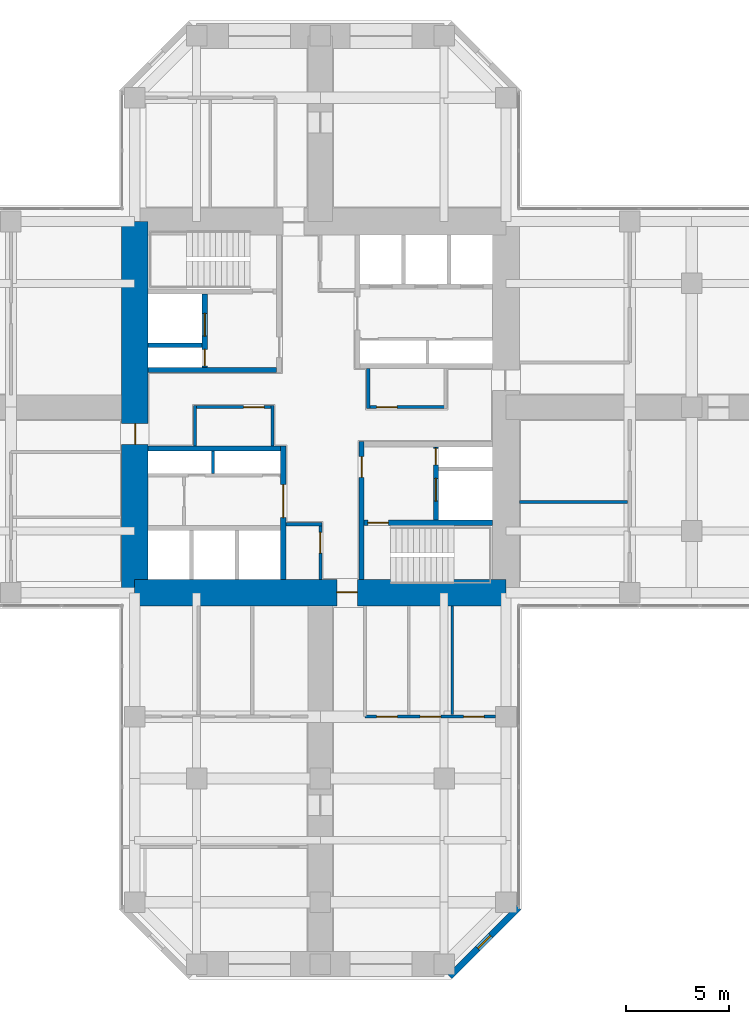
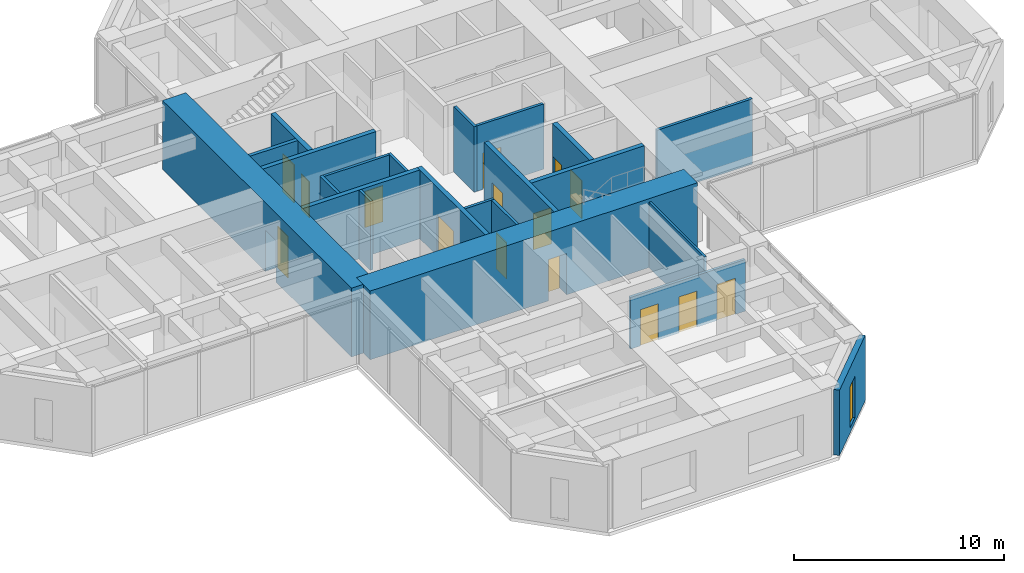
# One storey, part 9 of 12: 22 walls, 15 doors, 1 window, 16 openings.
"""IFC4 building model written with IfcOpenShell, lengths in metres."""

from ifc_helpers import new_model, si_unit, direction, frame, frame_2d, origin, place, context, subcontext, project, spatial, rectangle, hollow_rectangle, extrude, material, layer, layer_set, constituent, constituent_set, type_object, element, fill, save


model = new_model("IFC4")

# Units and contexts
model_context = context("Model", 3, precision=1e-05, world=origin(), true_north=direction((0.0, 1.0)))
body_context = subcontext(model_context, "Body", "Model", "MODEL_VIEW")
ifc_project = project(units=[si_unit("LENGTHUNIT", "METRE"), si_unit("AREAUNIT", "SQUARE_METRE"), si_unit("VOLUMEUNIT", "CUBIC_METRE"), si_unit("PLANEANGLEUNIT", "RADIAN"), si_unit("MASSUNIT", "GRAM", prefix="KILO")], contexts=[model_context])

# Site, building, storey
site_placement = place(None, origin())
site = spatial("IfcSite", under=ifc_project, at=site_placement, CompositionType="ELEMENT")
building_placement = place(site_placement, origin())
building = spatial("IfcBuilding", under=site, at=building_placement, Name="Torre Cruceta", CompositionType="ELEMENT")
storey_placement = place(building_placement, frame((0.0, 0.0, 140.5)))
storey = spatial("IfcBuildingStorey", under=building, at=storey_placement, Name="L34", CompositionType="ELEMENT", Elevation=140.5)

# Wall
ifc_material_1 = material(Name="Concrete G60 (fck 60 MPa)", Category="concrete")
ifc_layer_1 = layer(ifc_material_1, 0.25)
ifc_layer_set_1 = layer_set([ifc_layer_1], Name="Concrete G60 (fck 60 MPa)")
wall_type_1 = type_object("IfcWallType", Name="CORE INNER WALL 250 G60", PredefinedType="SHEAR", material=ifc_layer_set_1)
wall_1_placement = place(storey_placement, frame((-2.125, 1.800048828125, 0.0), z_axis=(0.0, 0.0, 1.0), x_axis=(-1.0, 0.0, 0.0)))
element("IfcWall", 1, at=wall_1_placement, inside=storey, type_object=wall_type_1, Name="CW4 L34 NW-CV", PredefinedType="SHEAR", context=body_context, shape_type="SweptSolid", body=[
    extrude(rectangle(XDim=6.22509765625, YDim=0.25, at=frame_2d((3.112548828125, 0.0))), origin(), (0.0, 0.0, 1.0), 4.0),
])

# Wall, openings, doors
wall_2_placement = place(storey_placement, frame((-5.60009765625, 1.925048828125, 0.0), z_axis=(0.0, 0.0, 1.0), x_axis=(0.0, 1.0, 0.0)))
wall_2 = element("IfcWall", 2, at=wall_2_placement, inside=storey, type_object=wall_type_1, Name="CW4 L34 NW-FU", PredefinedType="SHEAR", context=body_context, shape_type="SweptSolid", body=[
    extrude(rectangle(XDim=3.550048828125, YDim=0.25, at=frame_2d((1.77490234375, 0.0))), origin(), (0.0, 0.0, 1.0), 4.0),
])
opening_1_placement = place(wall_2_placement, frame((1.52490234375, 0.0, 0.0)))
opening_1 = element("IfcOpeningElement", 3, at=opening_1_placement, cuts=wall_2, Name="Opening LD1", PredefinedType="OPENING", context=body_context, shape_type="SweptSolid", body=[
    extrude(rectangle(XDim=1.10009765625, YDim=2.199951171875, at=frame_2d((0.550048828125, 1.10009765625))), frame((0.0, 0.135009765625, 0.0), z_axis=(0.0, -1.0, 0.0), x_axis=(1.0, 0.0, 0.0)), (0.0, 0.0, 1.0), 0.27001953125),
])
opening_2_placement = place(wall_2_placement, frame((0.074951171875, 0.0, 0.0)))
opening_2 = element("IfcOpeningElement", 4, at=opening_2_placement, cuts=wall_2, Name="Opening D5", PredefinedType="OPENING", context=body_context, shape_type="SweptSolid", body=[
    extrude(rectangle(XDim=0.800048828125, YDim=2.10009765625, at=frame_2d((0.39990234375, 1.050048828125))), frame((0.0, 0.135009765625, 0.0), z_axis=(0.0, -1.0, 0.0), x_axis=(1.0, 0.0, 0.0)), (0.0, 0.0, 1.0), 0.27001953125),
])
ifc_material_2 = material(Name="Stainless steel 1.4401", Category="steel")
door_type_1 = type_object("IfcDoorType", Name="LIFT LANDING DOOR 1100X2200", OperationType="DOUBLE_DOOR_SLIDING", PredefinedType="DOOR", material=ifc_material_2)
door_1_placement = place(opening_1_placement, origin())
door_1 = element("IfcDoor", 5, at=door_1_placement, inside=storey, type_object=door_type_1, Name="Lift landing door FL1", OperationType="DOUBLE_DOOR_SLIDING", OverallHeight=2.199951171875, OverallWidth=1.10009765625, PredefinedType="DOOR", context=body_context, shape_type="SweptSolid", body=[
    extrude(rectangle(XDim=1.10009765625, YDim=2.199951171875, at=frame_2d((0.550048828125, 1.10009765625))), frame((0.0, 0.02490234375, 0.0), z_axis=(0.0, -1.0, 0.0), x_axis=(1.0, 0.0, 0.0)), (0.0, 0.0, 1.0), 0.050048828125),
])
fill(opening_1, door_1)
ifc_material_3 = material(Name="Steel DX51D", Category="steel")
ifc_constituent_1 = constituent(ifc_material_3, Name="Leaf and frame")
ifc_material_4 = material(Name="Polyester powder coating", Category="paint")
ifc_constituent_2 = constituent(ifc_material_4, Name="Finish")
ifc_constituent_set_1 = constituent_set(constituents=[ifc_constituent_1, ifc_constituent_2], Name="Steel fire door")
door_type_2 = type_object("IfcDoorType", Name="RISER ACCESS DOOR 800X2100", OperationType="SINGLE_SWING_LEFT", PredefinedType="DOOR", material=ifc_constituent_set_1)
door_2_placement = place(opening_2_placement, origin())
door_2 = element("IfcDoor", 6, at=door_2_placement, inside=storey, type_object=door_type_2, Name="D5 L34 NW-RISER", OperationType="SINGLE_SWING_LEFT", OverallHeight=2.10009765625, OverallWidth=0.800048828125, PredefinedType="DOOR", context=body_context, shape_type="SweptSolid", body=[
    extrude(rectangle(XDim=0.800048828125, YDim=2.10009765625, at=frame_2d((0.39990234375, 1.050048828125))), frame((0.0, 0.02490234375, 0.0), z_axis=(0.0, -1.0, 0.0), x_axis=(1.0, 0.0, 0.0)), (0.0, 0.0, 1.0), 0.050048828125),
])
fill(opening_2, door_2)

# Wall, opening, door
wall_3_placement = place(storey_placement, frame((-1.800048828125, -1.875, 0.0), z_axis=(0.0, 0.0, 1.0), x_axis=(0.0, -1.0, 0.0)))
wall_3 = element("IfcWall", 7, at=wall_3_placement, inside=storey, type_object=wall_type_1, Name="CW4 L34 SW-CU", PredefinedType="SHEAR", context=body_context, shape_type="SweptSolid", body=[
    extrude(rectangle(XDim=6.47509765625, YDim=0.25, at=frame_2d((3.237548828125, 0.0))), origin(), (0.0, 0.0, 1.0), 4.0),
])
opening_3_placement = place(wall_3_placement, frame((1.875, 0.0, 0.0)))
opening_3 = element("IfcOpeningElement", 8, at=opening_3_placement, cuts=wall_3, Name="Opening D15", PredefinedType="OPENING", context=body_context, shape_type="SweptSolid", body=[
    extrude(rectangle(XDim=1.60009765625, YDim=2.39990234375, at=frame_2d((0.800048828125, 1.199951171875))), frame((0.0, 0.135009765625, 0.0), z_axis=(0.0, -1.0, 0.0), x_axis=(1.0, 0.0, 0.0)), (0.0, 0.0, 1.0), 0.27001953125),
])
ifc_material_5 = material(Name="Steel DX51D", Category="steel")
ifc_constituent_3 = constituent(ifc_material_5, Name="Leaf and frame")
ifc_material_6 = material(Name="Polyester powder coating", Category="paint")
ifc_constituent_4 = constituent(ifc_material_6, Name="Finish")
ifc_constituent_set_2 = constituent_set(constituents=[ifc_constituent_3, ifc_constituent_4], Name="Steel fire door")
door_type_3 = type_object("IfcDoorType", Name="CORE ROOM DOUBLE DOOR 1600X2400", OperationType="DOUBLE_DOOR_SINGLE_SWING", PredefinedType="DOOR", material=ifc_constituent_set_2)
door_3_placement = place(opening_3_placement, frame((1.60009765625, 0.0, 0.0), z_axis=(0.0, 0.0, 1.0), x_axis=(-1.0, 0.0, 0.0)))
door_3 = element("IfcDoor", 9, at=door_3_placement, inside=storey, type_object=door_type_3, Name="D15 L34 SW-LOBBY", OperationType="DOUBLE_DOOR_SINGLE_SWING", OverallHeight=2.39990234375, OverallWidth=1.60009765625, PredefinedType="DOOR", context=body_context, shape_type="SweptSolid", body=[
    extrude(rectangle(XDim=1.60009765625, YDim=2.39990234375, at=frame_2d((0.800048828125, 1.199951171875))), frame((0.0, 0.025146484375, 0.0), z_axis=(0.0, -1.0, 0.0), x_axis=(1.0, 0.0, 0.0)), (0.0, 0.0, 1.0), 0.050048828125),
])
fill(opening_3, door_3)

# Wall
wall_4_placement = place(storey_placement, frame((-1.925048828125, -2.0, 0.0), z_axis=(0.0, 0.0, 1.0), x_axis=(-1.0, 0.0, 0.0)))
element("IfcWall", 10, at=wall_4_placement, inside=storey, type_object=wall_type_1, Name="CW4 L34 SW-CV", PredefinedType="SHEAR", context=body_context, shape_type="SweptSolid", body=[
    extrude(rectangle(XDim=6.425048828125, YDim=0.25, at=frame_2d((3.21240234375, 0.0))), origin(), (0.0, 0.0, 1.0), 4.0),
])

# Wall, opening, door
wall_5_placement = place(storey_placement, frame((2.0, -1.675048828125, 0.0), z_axis=(0.0, 0.0, 1.0), x_axis=(0.0, -1.0, 0.0)))
wall_5 = element("IfcWall", 11, at=wall_5_placement, inside=storey, type_object=wall_type_1, Name="CW4 L34 SE-CU", PredefinedType="SHEAR", context=body_context, shape_type="SweptSolid", body=[
    extrude(rectangle(XDim=6.675048828125, YDim=0.25, at=frame_2d((3.33740234375, 0.0))), origin(), (0.0, 0.0, 1.0), 4.0),
])
opening_4_placement = place(wall_5_placement, frame((0.72509765625, 0.0, 0.0)))
opening_4 = element("IfcOpeningElement", 12, at=opening_4_placement, cuts=wall_5, Name="Opening D3", PredefinedType="OPENING", context=body_context, shape_type="SweptSolid", body=[
    extrude(rectangle(XDim=1.0, YDim=2.10009765625, at=frame_2d((0.5, 1.050048828125))), frame((0.0, 0.135009765625, 0.0), z_axis=(0.0, -1.0, 0.0), x_axis=(1.0, 0.0, 0.0)), (0.0, 0.0, 1.0), 0.27001953125),
])
ifc_material_7 = material(Name="Steel DX51D", Category="steel")
ifc_constituent_5 = constituent(ifc_material_7, Name="Leaf and frame")
ifc_material_8 = material(Name="Polyester powder coating", Category="paint")
ifc_constituent_6 = constituent(ifc_material_8, Name="Finish")
ifc_constituent_set_3 = constituent_set(constituents=[ifc_constituent_5, ifc_constituent_6], Name="Steel fire door")
door_type_4 = type_object("IfcDoorType", Name="FIRE DOOR 1000X2100", OperationType="SINGLE_SWING_LEFT", PredefinedType="DOOR", material=ifc_constituent_set_3)
door_4_placement = place(opening_4_placement, origin())
door_4 = element("IfcDoor", 13, at=door_4_placement, inside=storey, type_object=door_type_4, Name="D3 L34 SE-LOBBY", OperationType="SINGLE_SWING_LEFT", OverallHeight=2.10009765625, OverallWidth=1.0, PredefinedType="DOOR", context=body_context, shape_type="SweptSolid", body=[
    extrude(rectangle(XDim=1.0, YDim=2.10009765625, at=frame_2d((0.5, 1.050048828125))), frame((0.0, 0.02490234375, 0.0), z_axis=(0.0, -1.0, 0.0), x_axis=(1.0, 0.0, 0.0)), (0.0, 0.0, 1.0), 0.050048828125),
])
fill(opening_4, door_4)

wall_6_placement = place(storey_placement, frame((2.125, -5.60009765625, 0.0), z_axis=(0.0, 0.0, 1.0), x_axis=(1.0, 0.0, 0.0)))
wall_6 = element("IfcWall", 14, at=wall_6_placement, inside=storey, type_object=wall_type_1, Name="CW4 L34 SE-SV", PredefinedType="SHEAR", context=body_context, shape_type="SweptSolid", body=[
    extrude(rectangle(XDim=6.22509765625, YDim=0.25, at=frame_2d((3.112548828125, 0.0))), origin(), (0.0, 0.0, 1.0), 4.0),
])
opening_5_placement = place(wall_6_placement, frame((0.175048828125, 0.0, 0.0)))
opening_5 = element("IfcOpeningElement", 15, at=opening_5_placement, cuts=wall_6, Name="Opening D3", PredefinedType="OPENING", context=body_context, shape_type="SweptSolid", body=[
    extrude(rectangle(XDim=1.0, YDim=2.10009765625, at=frame_2d((0.5, 1.050048828125))), frame((0.0, 0.135009765625, 0.0), z_axis=(0.0, -1.0, 0.0), x_axis=(1.0, 0.0, 0.0)), (0.0, 0.0, 1.0), 0.27001953125),
])
door_5_placement = place(opening_5_placement, frame((1.0, 0.0, 0.0), z_axis=(0.0, 0.0, 1.0), x_axis=(-1.0, 0.0, 0.0)))
door_5 = element("IfcDoor", 16, at=door_5_placement, inside=storey, type_object=door_type_4, Name="D3 L34 SE-STAIR", OperationType="SINGLE_SWING_RIGHT", OverallHeight=2.10009765625, OverallWidth=1.0, PredefinedType="DOOR", context=body_context, shape_type="SweptSolid", body=[
    extrude(rectangle(XDim=1.0, YDim=2.10009765625, at=frame_2d((0.5, 1.050048828125))), frame((0.0, 0.025146484375, 0.0), z_axis=(0.0, -1.0, 0.0), x_axis=(1.0, 0.0, 0.0)), (0.0, 0.0, 1.0), 0.050048828125),
])
fill(opening_5, door_5)

# Wall, openings, doors
wall_7_placement = place(storey_placement, frame((5.60009765625, -1.925048828125, 0.0), z_axis=(0.0, 0.0, 1.0), x_axis=(0.0, -1.0, 0.0)))
wall_7 = element("IfcWall", 17, at=wall_7_placement, inside=storey, type_object=wall_type_1, Name="CW4 L34 SE-FU", PredefinedType="SHEAR", context=body_context, shape_type="SweptSolid", body=[
    extrude(rectangle(XDim=3.550048828125, YDim=0.25, at=frame_2d((1.77490234375, 0.0))), origin(), (0.0, 0.0, 1.0), 4.0),
])
opening_6_placement = place(wall_7_placement, frame((1.52490234375, 0.0, 0.0)))
opening_6 = element("IfcOpeningElement", 18, at=opening_6_placement, cuts=wall_7, Name="Opening LD1", PredefinedType="OPENING", context=body_context, shape_type="SweptSolid", body=[
    extrude(rectangle(XDim=1.10009765625, YDim=2.199951171875, at=frame_2d((0.550048828125, 1.10009765625))), frame((0.0, 0.135009765625, 0.0), z_axis=(0.0, -1.0, 0.0), x_axis=(1.0, 0.0, 0.0)), (0.0, 0.0, 1.0), 0.27001953125),
])
opening_7_placement = place(wall_7_placement, frame((0.074951171875, 0.0, 0.0)))
opening_7 = element("IfcOpeningElement", 19, at=opening_7_placement, cuts=wall_7, Name="Opening D5", PredefinedType="OPENING", context=body_context, shape_type="SweptSolid", body=[
    extrude(rectangle(XDim=0.800048828125, YDim=2.10009765625, at=frame_2d((0.39990234375, 1.050048828125))), frame((0.0, 0.135009765625, 0.0), z_axis=(0.0, -1.0, 0.0), x_axis=(1.0, 0.0, 0.0)), (0.0, 0.0, 1.0), 0.27001953125),
])
door_6_placement = place(opening_6_placement, origin())
door_6 = element("IfcDoor", 20, at=door_6_placement, inside=storey, type_object=door_type_1, Name="Lift landing door FL2", OperationType="DOUBLE_DOOR_SLIDING", OverallHeight=2.199951171875, OverallWidth=1.10009765625, PredefinedType="DOOR", context=body_context, shape_type="SweptSolid", body=[
    extrude(rectangle(XDim=1.10009765625, YDim=2.199951171875, at=frame_2d((0.550048828125, 1.10009765625))), frame((0.0, 0.02490234375, 0.0), z_axis=(0.0, -1.0, 0.0), x_axis=(1.0, 0.0, 0.0)), (0.0, 0.0, 1.0), 0.050048828125),
])
fill(opening_6, door_6)
door_7_placement = place(opening_7_placement, origin())
door_7 = element("IfcDoor", 21, at=door_7_placement, inside=storey, type_object=door_type_2, Name="D5 L34 SE-RISER", OperationType="SINGLE_SWING_LEFT", OverallHeight=2.10009765625, OverallWidth=0.800048828125, PredefinedType="DOOR", context=body_context, shape_type="SweptSolid", body=[
    extrude(rectangle(XDim=0.800048828125, YDim=2.10009765625, at=frame_2d((0.39990234375, 1.050048828125))), frame((0.0, 0.02490234375, 0.0), z_axis=(0.0, -1.0, 0.0), x_axis=(1.0, 0.0, 0.0)), (0.0, 0.0, 1.0), 0.050048828125),
])
fill(opening_7, door_7)

# Wall, opening, door
ifc_material_9 = material(Name="Concrete G60 (fck 60 MPa)", Category="concrete")
ifc_layer_2 = layer(ifc_material_9, 1.300048828125)
ifc_layer_set_2 = layer_set([ifc_layer_2], Name="Concrete G60 (fck 60 MPa)")
wall_type_2 = type_object("IfcWallType", Name="CORE WALL 1300 G60", PredefinedType="SHEAR", material=ifc_layer_set_2)
wall_8_placement = place(storey_placement, frame((-9.0, -9.0, 0.0), z_axis=(0.0, 0.0, 1.0), x_axis=(1.0, 0.0, 0.0)))
wall_8 = element("IfcWall", 22, at=wall_8_placement, inside=storey, type_object=wall_type_2, Name="CW1 L34 CW-S", PredefinedType="SHEAR", context=body_context, shape_type="SweptSolid", body=[
    extrude(rectangle(XDim=18.0, YDim=1.300048828125, at=frame_2d((9.0, 0.0))), origin(), (0.0, 0.0, 1.0), 4.0),
])
opening_8_placement = place(wall_8_placement, frame((9.800048828125, 0.0, 0.0)))
opening_8 = element("IfcOpeningElement", 23, at=opening_8_placement, cuts=wall_8, Name="Opening D4", PredefinedType="OPENING", context=body_context, shape_type="SweptSolid", body=[
    extrude(rectangle(XDim=1.0, YDim=2.39990234375, at=frame_2d((0.5, 1.199951171875))), frame((0.0, 0.659912109375, 0.0), z_axis=(0.0, -1.0, 0.0), x_axis=(1.0, 0.0, 0.0)), (0.0, 0.0, 1.0), 1.320068359375),
])
ifc_material_10 = material(Name="Steel DX51D", Category="steel")
ifc_constituent_7 = constituent(ifc_material_10, Name="Leaf and frame")
ifc_material_11 = material(Name="Polyester powder coating", Category="paint")
ifc_constituent_8 = constituent(ifc_material_11, Name="Finish")
ifc_constituent_set_4 = constituent_set(constituents=[ifc_constituent_7, ifc_constituent_8], Name="Steel fire door")
door_type_5 = type_object("IfcDoorType", Name="CORE ARM DOOR 1000X2400", OperationType="SINGLE_SWING_RIGHT", PredefinedType="DOOR", material=ifc_constituent_set_4)
door_8_placement = place(opening_8_placement, frame((1.0, 0.0, 0.0), z_axis=(0.0, 0.0, 1.0), x_axis=(-1.0, 0.0, 0.0)))
door_8 = element("IfcDoor", 24, at=door_8_placement, inside=storey, type_object=door_type_5, Name="D4 L34 CW-S", OperationType="SINGLE_SWING_RIGHT", OverallHeight=2.39990234375, OverallWidth=1.0, PredefinedType="DOOR", context=body_context, shape_type="SweptSolid", body=[
    extrude(rectangle(XDim=1.0, YDim=2.39990234375, at=frame_2d((0.5, 1.199951171875))), frame((0.0, -0.005126953125, 0.0), z_axis=(0.0, -1.0, 0.0), x_axis=(1.0, 0.0, 0.0)), (0.0, 0.0, 1.0), 0.050048828125),
])
fill(opening_8, door_8)

wall_9_placement = place(storey_placement, frame((-9.0, 9.0, 0.0), z_axis=(0.0, 0.0, 1.0), x_axis=(0.0, -1.0, 0.0)))
wall_9 = element("IfcWall", 25, at=wall_9_placement, inside=storey, type_object=wall_type_2, Name="CW1 L34 CW-W", PredefinedType="SHEAR", context=body_context, shape_type="SweptSolid", body=[
    extrude(rectangle(XDim=18.0, YDim=1.300048828125, at=frame_2d((9.0, 0.0))), origin(), (0.0, 0.0, 1.0), 4.0),
])
opening_9_placement = place(wall_9_placement, frame((9.800048828125, 0.0, 0.0)))
opening_9 = element("IfcOpeningElement", 26, at=opening_9_placement, cuts=wall_9, Name="Opening D4", PredefinedType="OPENING", context=body_context, shape_type="SweptSolid", body=[
    extrude(rectangle(XDim=1.0, YDim=2.39990234375, at=frame_2d((0.5, 1.199951171875))), frame((0.0, 0.659912109375, 0.0), z_axis=(0.0, -1.0, 0.0), x_axis=(1.0, 0.0, 0.0)), (0.0, 0.0, 1.0), 1.320068359375),
])
door_9_placement = place(opening_9_placement, frame((1.0, 0.0, 0.0), z_axis=(0.0, 0.0, 1.0), x_axis=(-1.0, 0.0, 0.0)))
door_9 = element("IfcDoor", 27, at=door_9_placement, inside=storey, type_object=door_type_5, Name="D4 L34 CW-W", OperationType="SINGLE_SWING_RIGHT", OverallHeight=2.39990234375, OverallWidth=1.0, PredefinedType="DOOR", context=body_context, shape_type="SweptSolid", body=[
    extrude(rectangle(XDim=1.0, YDim=2.39990234375, at=frame_2d((0.5, 1.199951171875))), frame((0.0, -0.005126953125, 0.0), z_axis=(0.0, -1.0, 0.0), x_axis=(1.0, 0.0, 0.0)), (0.0, 0.0, 1.0), 0.050048828125),
])
fill(opening_9, door_9)

# Wall, opening, window
ifc_material_12 = material(Name="Concrete G30 (fck 30 MPa)", Category="concrete")
ifc_layer_3 = layer(ifc_material_12, 0.300048828125)
ifc_layer_set_3 = layer_set([ifc_layer_3], Name="Concrete G30 (fck 30 MPa)")
wall_type_3 = type_object("IfcWallType", Name="EXPOSED CONCRETE FACADE WALL 300", PredefinedType="SOLIDWALL", material=ifc_layer_set_3)
wall_10_placement = place(storey_placement, frame((6.27685546875, -27.60009765625, 0.0), z_axis=(0.0, 0.0, 1.0), x_axis=(0.707106781187, 0.707106781187, 0.0)))
wall_10 = element("IfcWall", 28, at=wall_10_placement, inside=storey, type_object=wall_type_3, Name="EW1 facade wall L34 S chamfer 18", PredefinedType="SOLIDWALL", context=body_context, shape_type="SweptSolid", body=[
    extrude(rectangle(XDim=4.72802734375, YDim=0.300048828125, at=frame_2d((2.364013671875, 0.0))), origin(), (0.0, 0.0, 1.0), 3.800048828125),
])
opening_10_placement = place(wall_10_placement, frame((1.9140625, 0.0, 0.300048828125)))
opening_10 = element("IfcOpeningElement", 29, at=opening_10_placement, cuts=wall_10, Name="Opening WN5", PredefinedType="OPENING", context=body_context, shape_type="SweptSolid", body=[
    extrude(rectangle(XDim=0.89990234375, YDim=2.39990234375, at=frame_2d((0.449951171875, 1.199951171875))), frame((0.0, 0.159912109375, 0.0), z_axis=(0.0, -1.0, 0.0), x_axis=(1.0, 0.0, 0.0)), (0.0, 0.0, 1.0), 0.320068359375),
])
ifc_material_13 = material(Name="Aluminium window frame", Category="aluminium")
ifc_constituent_9 = constituent(ifc_material_13, Name="Frame")
ifc_material_14 = material(Name="Laminated insulating glass unit, low-iron clear", Category="glass")
ifc_constituent_10 = constituent(ifc_material_14, Name="Glazing")
ifc_constituent_set_5 = constituent_set(constituents=[ifc_constituent_9, ifc_constituent_10], Name="Aluminium window")
window_type = type_object("IfcWindowType", Name="CHAMFER SLOT WINDOW 900X2400", PartitioningType="SINGLE_PANEL", PredefinedType="WINDOW", material=ifc_constituent_set_5)
window_placement = place(opening_10_placement, origin())
window = element("IfcWindow", 30, at=window_placement, inside=storey, type_object=window_type, Name="WN5 L34 S 1", OverallHeight=2.39990234375, OverallWidth=0.89990234375, PartitioningType="SINGLE_PANEL", PredefinedType="WINDOW", context=body_context, shape_type="SweptSolid", body=[
    extrude(hollow_rectangle(XDim=0.89990234375, YDim=2.39990234375, WallThickness=0.06005859375, at=frame_2d((0.449951171875, 1.199951171875))), frame((0.0, 0.030029296875, 0.0), z_axis=(0.0, -1.0, 0.0), x_axis=(1.0, 0.0, 0.0)), (0.0, 0.0, 1.0), 0.06005859375),
    extrude(rectangle(XDim=0.77880859375, YDim=2.27880859375, at=frame_2d((0.449951171875, 1.199951171875))), frame((0.0, 0.030029296875, 0.0), z_axis=(0.0, -1.0, 0.0), x_axis=(1.0, 0.0, 0.0)), (0.0, 0.0, 1.0), 0.06005859375),
])
fill(opening_10, window)

# Wall
ifc_material_15 = material(Name="Concrete G35 (fck 35 MPa)", Category="concrete")
ifc_layer_4 = layer(ifc_material_15, 0.199951171875)
ifc_layer_set_4 = layer_set([ifc_layer_4], Name="Concrete G35 (fck 35 MPa)")
wall_type_4 = type_object("IfcWallType", Name="LIFT SHAFT WALL 200", PredefinedType="PARTITIONING", material=ifc_layer_set_4)
wall_11_placement = place(storey_placement, frame((-5.72509765625, 3.0, 0.0), z_axis=(0.0, 0.0, 1.0), x_axis=(-1.0, 0.0, 0.0)))
element("IfcWall", 31, at=wall_11_placement, inside=storey, type_object=wall_type_4, Name="SW1 L34 NW-FR", PredefinedType="PARTITIONING", context=body_context, shape_type="SweptSolid", body=[
    extrude(rectangle(XDim=2.625, YDim=0.199951171875, at=frame_2d((1.3125, 0.0))), origin(), (0.0, 0.0, 1.0), 4.0),
])

# Wall, opening, door
ifc_material_16 = material(Name="Plasterboard on steel studs", Category="steel")
ifc_layer_5 = layer(ifc_material_16, 0.14990234375)
ifc_layer_set_5 = layer_set([ifc_layer_5], Name="Plasterboard on steel studs")
wall_type_5 = type_object("IfcWallType", Name="PARTITION 150", PredefinedType="PARTITIONING", material=ifc_layer_set_5)
wall_12_placement = place(storey_placement, frame((2.324951171875, 0.0, 0.0), z_axis=(0.0, 0.0, 1.0), x_axis=(1.0, 0.0, 0.0)))
wall_12 = element("IfcWall", 32, at=wall_12_placement, inside=storey, type_object=wall_type_5, Name="PT1 L34-CORE-LEGE-N-W1", PredefinedType="PARTITIONING", context=body_context, shape_type="SweptSolid", body=[
    extrude(rectangle(XDim=3.75, YDim=0.14990234375, at=frame_2d((1.875, 0.0))), origin(), (0.0, 0.0, 1.0), 3.800048828125),
])
opening_11_placement = place(wall_12_placement, frame((0.39990234375, 0.0, 0.0)))
opening_11 = element("IfcOpeningElement", 33, at=opening_11_placement, cuts=wall_12, Name="Opening D3", PredefinedType="OPENING", context=body_context, shape_type="SweptSolid", body=[
    extrude(rectangle(XDim=1.0, YDim=2.10009765625, at=frame_2d((0.5, 1.050048828125))), frame((0.0, 0.0849609375, 0.0), z_axis=(0.0, -1.0, 0.0), x_axis=(1.0, 0.0, 0.0)), (0.0, 0.0, 1.0), 0.169921875),
])
door_10_placement = place(opening_11_placement, origin())
door_10 = element("IfcDoor", 34, at=door_10_placement, inside=storey, type_object=door_type_4, Name="D3 L34-CORE-LEGE-N-W1-D1", OperationType="SINGLE_SWING_LEFT", OverallHeight=2.10009765625, OverallWidth=1.0, PredefinedType="DOOR", context=body_context, shape_type="SweptSolid", body=[
    extrude(rectangle(XDim=1.0, YDim=2.10009765625, at=frame_2d((0.5, 1.050048828125))), frame((0.0, 0.02490234375, 0.0), z_axis=(0.0, -1.0, 0.0), x_axis=(1.0, 0.0, 0.0)), (0.0, 0.0, 1.0), 0.050048828125),
])
fill(opening_11, door_10)

# Wall
wall_13_placement = place(storey_placement, frame((2.324951171875, 1.875, 0.0), z_axis=(0.0, 0.0, 1.0), x_axis=(0.0, -1.0, 0.0)))
element("IfcWall", 35, at=wall_13_placement, inside=storey, type_object=wall_type_5, Name="PT1 L34-CORE-LEGE-N-W2", PredefinedType="PARTITIONING", context=body_context, shape_type="SweptSolid", body=[
    extrude(rectangle(XDim=1.949951171875, YDim=0.14990234375, at=frame_2d((0.97509765625, 0.0))), origin(), (0.0, 0.0, 1.0), 3.800048828125),
])

# Wall, opening, door
wall_14_placement = place(storey_placement, frame((-2.324951171875, 0.0, 0.0), z_axis=(0.0, 0.0, 1.0), x_axis=(-1.0, 0.0, 0.0)))
wall_14 = element("IfcWall", 36, at=wall_14_placement, inside=storey, type_object=wall_type_5, Name="PT1 L34-CORE-LEGW-S-W1", PredefinedType="PARTITIONING", context=body_context, shape_type="SweptSolid", body=[
    extrude(rectangle(XDim=3.75, YDim=0.14990234375, at=frame_2d((1.875, 0.0))), origin(), (0.0, 0.0, 1.0), 3.800048828125),
])
opening_12_placement = place(wall_14_placement, frame((0.39990234375, 0.0, 0.0)))
opening_12 = element("IfcOpeningElement", 37, at=opening_12_placement, cuts=wall_14, Name="Opening D3", PredefinedType="OPENING", context=body_context, shape_type="SweptSolid", body=[
    extrude(rectangle(XDim=1.0, YDim=2.10009765625, at=frame_2d((0.5, 1.050048828125))), frame((0.0, 0.0849609375, 0.0), z_axis=(0.0, -1.0, 0.0), x_axis=(1.0, 0.0, 0.0)), (0.0, 0.0, 1.0), 0.169921875),
])
door_11_placement = place(opening_12_placement, origin())
door_11 = element("IfcDoor", 38, at=door_11_placement, inside=storey, type_object=door_type_4, Name="D3 L34-CORE-LEGW-S-W1-D1", OperationType="SINGLE_SWING_LEFT", OverallHeight=2.10009765625, OverallWidth=1.0, PredefinedType="DOOR", context=body_context, shape_type="SweptSolid", body=[
    extrude(rectangle(XDim=1.0, YDim=2.10009765625, at=frame_2d((0.5, 1.050048828125))), frame((0.0, 0.02490234375, 0.0), z_axis=(0.0, -1.0, 0.0), x_axis=(1.0, 0.0, 0.0)), (0.0, 0.0, 1.0), 0.050048828125),
])
fill(opening_12, door_11)

# Walls
for number, where, z_axis, x_axis, name in (
    (39, (-2.324951171875, -1.875, 0.0), (0.0, 0.0, 1.0), (0.0, 1.0, 0.0), "PT1 L34-CORE-LEGW-S-W2"),
    (40, (-6.074951171875, 0.074951171875, 0.0), (0.0, 0.0, 1.0), (0.0, -1.0, 0.0), "PT1 L34-CORE-LEGW-S-W3"),
):
    element("IfcWall", number, at=place(storey_placement, frame(where, z_axis=z_axis, x_axis=x_axis)), inside=storey, type_object=wall_type_5, Name=name, PredefinedType="PARTITIONING", context=body_context, shape_type="SweptSolid", body=[
        extrude(rectangle(XDim=1.949951171875, YDim=0.14990234375, at=frame_2d((0.97509765625, 0.0))), origin(), (0.0, 0.0, 1.0), 3.800048828125),
    ])

# Wall, opening, door
wall_15_placement = place(storey_placement, frame((0.0, -5.675048828125, 0.0), z_axis=(0.0, 0.0, 1.0), x_axis=(0.0, -1.0, 0.0)))
wall_15 = element("IfcWall", 41, at=wall_15_placement, inside=storey, type_object=wall_type_5, Name="PT1 L34-CORE-LEGS-W-W1", PredefinedType="PARTITIONING", context=body_context, shape_type="SweptSolid", body=[
    extrude(rectangle(XDim=2.675048828125, YDim=0.14990234375, at=frame_2d((1.33740234375, 0.0))), origin(), (0.0, 0.0, 1.0), 3.800048828125),
])
opening_13_placement = place(wall_15_placement, frame((0.39990234375, 0.0, 0.0)))
opening_13 = element("IfcOpeningElement", 42, at=opening_13_placement, cuts=wall_15, Name="Opening D3", PredefinedType="OPENING", context=body_context, shape_type="SweptSolid", body=[
    extrude(rectangle(XDim=1.0, YDim=2.10009765625, at=frame_2d((0.5, 1.050048828125))), frame((0.0, 0.0849609375, 0.0), z_axis=(0.0, -1.0, 0.0), x_axis=(1.0, 0.0, 0.0)), (0.0, 0.0, 1.0), 0.169921875),
])
door_12_placement = place(opening_13_placement, frame((1.0, 0.0, 0.0), z_axis=(0.0, 0.0, 1.0), x_axis=(-1.0, 0.0, 0.0)))
door_12 = element("IfcDoor", 43, at=door_12_placement, inside=storey, type_object=door_type_4, Name="D3 L34-CORE-LEGS-W-W1-D1", OperationType="SINGLE_SWING_RIGHT", OverallHeight=2.10009765625, OverallWidth=1.0, PredefinedType="DOOR", context=body_context, shape_type="SweptSolid", body=[
    extrude(rectangle(XDim=1.0, YDim=2.10009765625, at=frame_2d((0.5, 1.050048828125))), frame((0.0, 0.025146484375, 0.0), z_axis=(0.0, -1.0, 0.0), x_axis=(1.0, 0.0, 0.0)), (0.0, 0.0, 1.0), 0.050048828125),
])
fill(opening_13, door_12)

# Walls
wall_16_placement = place(storey_placement, frame((-1.675048828125, -5.675048828125, 0.0), z_axis=(0.0, 0.0, 1.0), x_axis=(1.0, 0.0, 0.0)))
element("IfcWall", 44, at=wall_16_placement, inside=storey, type_object=wall_type_5, Name="PT1 L34-CORE-LEGS-W-W2", PredefinedType="PARTITIONING", context=body_context, shape_type="SweptSolid", body=[
    extrude(rectangle(XDim=1.75, YDim=0.14990234375, at=frame_2d((0.875, 0.0))), origin(), (0.0, 0.0, 1.0), 3.800048828125),
])
wall_17_placement = place(storey_placement, frame((9.64990234375, -4.60009765625, 0.0), z_axis=(0.0, 0.0, 1.0), x_axis=(1.0, 0.0, 0.0)))
element("IfcWall", 45, at=wall_17_placement, inside=storey, type_object=wall_type_5, Name="PT1 L34-E-BDR1", PredefinedType="PARTITIONING", context=body_context, shape_type="SweptSolid", body=[
    extrude(rectangle(XDim=5.25, YDim=0.14990234375, at=frame_2d((2.625, 0.0))), origin(), (0.0, 0.0, 1.0), 3.800048828125),
])

# Wall, openings, doors
wall_18_placement = place(storey_placement, frame((2.175048828125, -15.0, 0.0), z_axis=(0.0, 0.0, 1.0), x_axis=(1.0, 0.0, 0.0)))
wall_18 = element("IfcWall", 46, at=wall_18_placement, inside=storey, type_object=wall_type_5, Name="PT1 L34-S-BFL", PredefinedType="PARTITIONING", context=body_context, shape_type="SweptSolid", body=[
    extrude(rectangle(XDim=6.324951171875, YDim=0.14990234375, at=frame_2d((3.16259765625, 0.0))), origin(), (0.0, 0.0, 1.0), 3.0),
])
opening_14_placement = place(wall_18_placement, frame((0.55419921875, 0.0, 0.0)))
opening_14 = element("IfcOpeningElement", 47, at=opening_14_placement, cuts=wall_18, Name="Opening D3", PredefinedType="OPENING", context=body_context, shape_type="SweptSolid", body=[
    extrude(rectangle(XDim=1.0, YDim=2.10009765625, at=frame_2d((0.5, 1.050048828125))), frame((0.0, 0.0849609375, 0.0), z_axis=(0.0, -1.0, 0.0), x_axis=(1.0, 0.0, 0.0)), (0.0, 0.0, 1.0), 0.169921875),
])
opening_15_placement = place(wall_18_placement, frame((2.66259765625, 0.0, 0.0)))
opening_15 = element("IfcOpeningElement", 48, at=opening_15_placement, cuts=wall_18, Name="Opening D3", PredefinedType="OPENING", context=body_context, shape_type="SweptSolid", body=[
    extrude(rectangle(XDim=1.0, YDim=2.10009765625, at=frame_2d((0.5, 1.050048828125))), frame((0.0, 0.0849609375, 0.0), z_axis=(0.0, -1.0, 0.0), x_axis=(1.0, 0.0, 0.0)), (0.0, 0.0, 1.0), 0.169921875),
])
opening_16_placement = place(wall_18_placement, frame((4.770751953125, 0.0, 0.0)))
opening_16 = element("IfcOpeningElement", 49, at=opening_16_placement, cuts=wall_18, Name="Opening D3", PredefinedType="OPENING", context=body_context, shape_type="SweptSolid", body=[
    extrude(rectangle(XDim=1.0, YDim=2.10009765625, at=frame_2d((0.5, 1.050048828125))), frame((0.0, 0.0849609375, 0.0), z_axis=(0.0, -1.0, 0.0), x_axis=(1.0, 0.0, 0.0)), (0.0, 0.0, 1.0), 0.169921875),
])
door_13_placement = place(opening_14_placement, origin())
door_13 = element("IfcDoor", 50, at=door_13_placement, inside=storey, type_object=door_type_4, Name="D3 L34-S-BFL-D1", OperationType="SINGLE_SWING_LEFT", OverallHeight=2.10009765625, OverallWidth=1.0, PredefinedType="DOOR", context=body_context, shape_type="SweptSolid", body=[
    extrude(rectangle(XDim=1.0, YDim=2.10009765625, at=frame_2d((0.5, 1.050048828125))), frame((0.0, 0.02490234375, 0.0), z_axis=(0.0, -1.0, 0.0), x_axis=(1.0, 0.0, 0.0)), (0.0, 0.0, 1.0), 0.050048828125),
])
fill(opening_14, door_13)
door_14_placement = place(opening_15_placement, origin())
door_14 = element("IfcDoor", 51, at=door_14_placement, inside=storey, type_object=door_type_4, Name="D3 L34-S-BFL-D2", OperationType="SINGLE_SWING_LEFT", OverallHeight=2.10009765625, OverallWidth=1.0, PredefinedType="DOOR", context=body_context, shape_type="SweptSolid", body=[
    extrude(rectangle(XDim=1.0, YDim=2.10009765625, at=frame_2d((0.5, 1.050048828125))), frame((0.0, 0.02490234375, 0.0), z_axis=(0.0, -1.0, 0.0), x_axis=(1.0, 0.0, 0.0)), (0.0, 0.0, 1.0), 0.050048828125),
])
fill(opening_15, door_14)
door_15_placement = place(opening_16_placement, origin())
door_15 = element("IfcDoor", 52, at=door_15_placement, inside=storey, type_object=door_type_4, Name="D3 L34-S-BFL-D3", OperationType="SINGLE_SWING_LEFT", OverallHeight=2.10009765625, OverallWidth=1.0, PredefinedType="DOOR", context=body_context, shape_type="SweptSolid", body=[
    extrude(rectangle(XDim=1.0, YDim=2.10009765625, at=frame_2d((0.5, 1.050048828125))), frame((0.0, 0.02490234375, 0.0), z_axis=(0.0, -1.0, 0.0), x_axis=(1.0, 0.0, 0.0)), (0.0, 0.0, 1.0), 0.050048828125),
])
fill(opening_16, door_15)

# Walls
ifc_material_17 = material(Name="Concrete block masonry", Category="masonry")
ifc_layer_6 = layer(ifc_material_17, 0.14990234375)
ifc_layer_set_6 = layer_set([ifc_layer_6], Name="Concrete block masonry")
wall_type_6 = type_object("IfcWallType", Name="RISER WALL 150", PredefinedType="PARTITIONING", material=ifc_layer_set_6)
wall_19_placement = place(storey_placement, frame((-5.199951171875, -2.125, 0.0), z_axis=(0.0, 0.0, 1.0), x_axis=(0.0, -1.0, 0.0)))
element("IfcWall", 53, at=wall_19_placement, inside=storey, type_object=wall_type_6, Name="SW7 L34 SW-RU", PredefinedType="PARTITIONING", context=body_context, shape_type="SweptSolid", body=[
    extrude(rectangle(XDim=1.10009765625, YDim=0.14990234375, at=frame_2d((0.550048828125, 0.0))), origin(), (0.0, 0.0, 1.0), 4.0),
])
ifc_material_18 = material(Name="Plasterboard on steel studs", Category="steel")
ifc_layer_7 = layer(ifc_material_18, 0.1201171875)
ifc_layer_set_7 = layer_set([ifc_layer_7], Name="Plasterboard on steel studs")
wall_type_7 = type_object("IfcWallType", Name="WC PARTITION 120", PredefinedType="PLUMBINGWALL", material=ifc_layer_set_7)
wall_20_placement = place(storey_placement, frame((6.3916015625, -9.64990234375, 0.0), z_axis=(0.0, 0.0, 1.0), x_axis=(0.0, -1.0, 0.0)))
element("IfcWall", 54, at=wall_20_placement, inside=storey, type_object=wall_type_7, Name="PT5 L34-S-BDL2", PredefinedType="PLUMBINGWALL", context=body_context, shape_type="SweptSolid", body=[
    extrude(rectangle(XDim=5.25, YDim=0.1201171875, at=frame_2d((2.625, 0.0))), origin(), (0.0, 0.0, 1.0), 3.800048828125),
])

save(model, "model.ifc")
